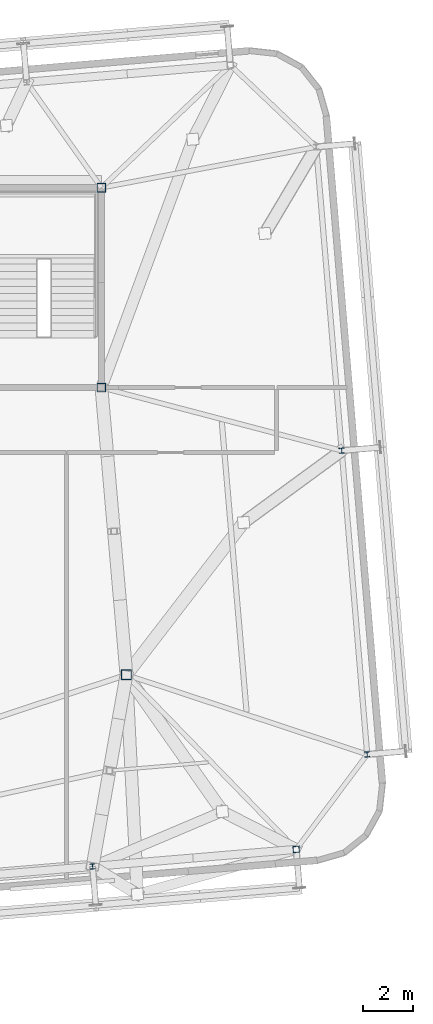
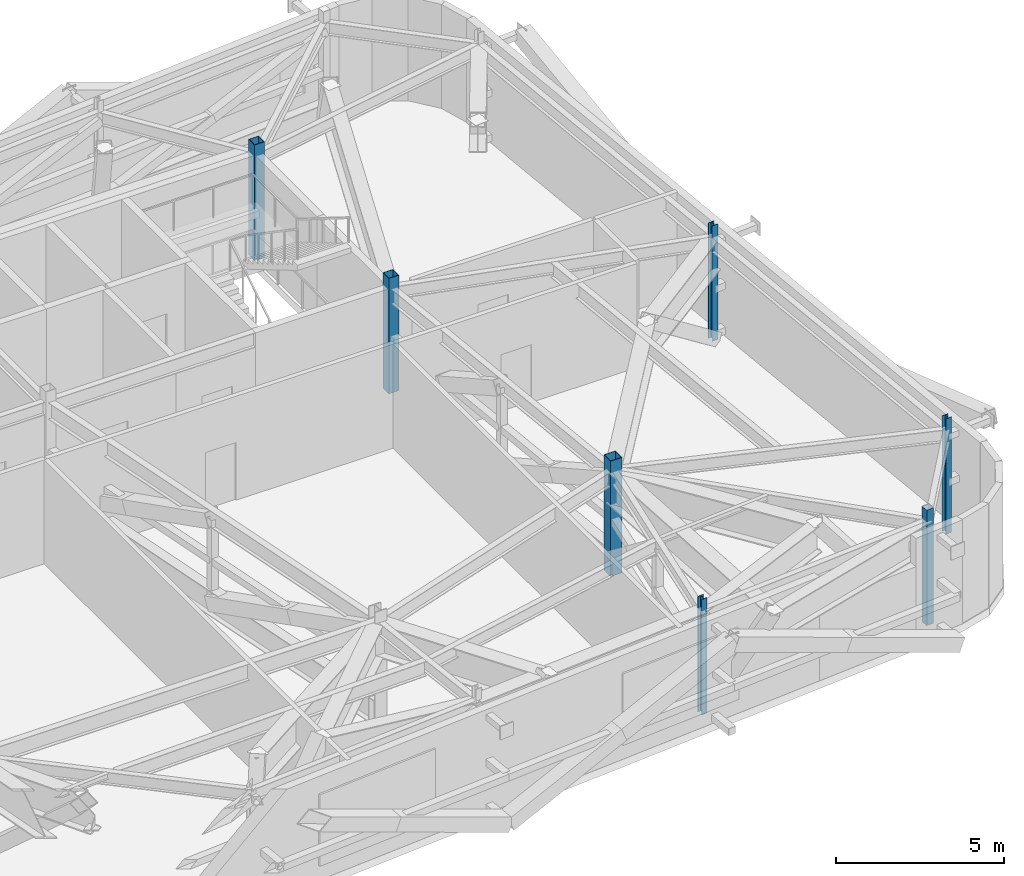
# One storey, part 4 of 26: 7 columns.
"""IFC4 building model written with IfcOpenShell, lengths in metres."""

from ifc_helpers import new_model, si_unit, direction, frame, origin, origin_2d, place, context, subcontext, project, spatial, hollow_rectangle, i_section, extrude, source, transform, mapped, material, material_profile, profile_set, type_object, element, save


model = new_model("IFC4")

# Units and contexts
model_context = context("Model", 3, precision=1e-05, world=origin(), true_north=direction((0.0, 1.0)))
body_context = subcontext(model_context, "Body", "Model", "MODEL_VIEW")
ifc_project = project(units=[si_unit("LENGTHUNIT", "METRE"), si_unit("AREAUNIT", "SQUARE_METRE"), si_unit("VOLUMEUNIT", "CUBIC_METRE"), si_unit("PLANEANGLEUNIT", "RADIAN"), si_unit("MASSUNIT", "GRAM", prefix="KILO")], contexts=[model_context])

# Site, building, storey
site_placement = place(None, origin())
site = spatial("IfcSite", under=ifc_project, at=site_placement, CompositionType="ELEMENT")
building_placement = place(site_placement, origin())
building = spatial("IfcBuilding", under=site, at=building_placement, Name="Taldren Reach Tower", CompositionType="ELEMENT")
storey_placement = place(building_placement, frame((0.0, 0.0, 207.199951171875)))
storey = spatial("IfcBuildingStorey", under=building, at=storey_placement, Name="L63", CompositionType="ELEMENT", Elevation=207.199951171875)

# Columns
ifc_material_1 = material(Name="Steel Gr 450 (C450L0)", Category="steel")
ifc_material_profile_1 = material_profile(ifc_material_1, hollow_rectangle(XDim=0.39990234375, YDim=0.39990234375, WallThickness=0.01611328125, at=origin_2d()), Name="400x400x16.0SHS")
ifc_profile_set_1 = profile_set([ifc_material_profile_1], Name="Steel Gr 450 (C450L0)")
column_type_1 = type_object("IfcColumnType", Name="COL-SHS400", PredefinedType="COLUMN", material=ifc_profile_set_1)
shared_shape_1 = source(origin(), body_context, "Body", "SweptSolid", [
    extrude(hollow_rectangle(XDim=0.39990234375, YDim=0.39990234375, WallThickness=0.01611328125, at=origin_2d()), origin(), (0.0, 0.0, 1.0), 4.199951171875),
])
column_1_placement = place(storey_placement, frame((52.0, 12.5, 0.0), z_axis=(0.0, 0.0, 1.0), x_axis=(1.0, 0.0, 0.0)))
element("IfcColumn", 1, at=column_1_placement, inside=storey, type_object=column_type_1, Name="Mega column MC-SE L63", PredefinedType="COLUMN", context=body_context, shape_type="MappedRepresentation", body=[
    mapped(shared_shape_1, transform((0.0, 0.0, 0.0), scale=1.0)),
])
ifc_material_profile_2 = material_profile(ifc_material_1, hollow_rectangle(XDim=0.35009765625, YDim=0.35009765625, WallThickness=0.01611328125, at=origin_2d()), Name="350x350x16.0SHS")
ifc_profile_set_2 = profile_set([ifc_material_profile_2], Name="Steel Gr 450 (C450L0)")
column_type_2 = type_object("IfcColumnType", Name="COL-SHS350", PredefinedType="COLUMN", material=ifc_profile_set_2)
shared_shape_2 = source(origin(), body_context, "Body", "SweptSolid", [
    extrude(hollow_rectangle(XDim=0.35009765625, YDim=0.35009765625, WallThickness=0.01611328125, at=origin_2d()), origin(), (0.0, 0.0, 1.0), 4.199951171875),
])
for number, where, z_axis, x_axis, name in (
    (2, (51.0, 24.0, 0.0), (0.0, 0.0, 1.0), (1.0, 0.0, 0.0), "Mega column MC-C4 L63"),
    (3, (51.0, 32.0, 0.0), (0.0, 0.0, 1.0), (1.0, 0.0, 0.0), "Mega column MC-C8 L63"),
):
    element("IfcColumn", number, at=place(storey_placement, frame(where, z_axis=z_axis, x_axis=x_axis)), inside=storey, type_object=column_type_2, Name=name, PredefinedType="COLUMN", context=body_context, shape_type="MappedRepresentation", body=[
        mapped(shared_shape_2, transform((0.0, 0.0, 0.0), scale=1.0)),
    ])
ifc_material_2 = material(Name="Steel Gr 350 (C350L0)", Category="steel")
ifc_material_profile_3 = material_profile(ifc_material_2, hollow_rectangle(XDim=0.25, YDim=0.25, WallThickness=0.010009765625, at=origin_2d()), Name="250x250x10.0SHS")
ifc_profile_set_3 = profile_set([ifc_material_profile_3], Name="Steel Gr 350 (C350L0)")
column_type_3 = type_object("IfcColumnType", Name="COL-SHS250", PredefinedType="COLUMN", material=ifc_profile_set_3)
shared_shape_3 = source(origin(), body_context, "Body", "SweptSolid", [
    extrude(hollow_rectangle(XDim=0.25, YDim=0.25, WallThickness=0.010009765625, at=origin_2d()), origin(), (0.0, 0.0, 1.0), 4.199951171875),
])
column_2_placement = place(storey_placement, frame((58.796142578125, 5.516357421875, 0.0), z_axis=(0.0, 0.0, 1.0), x_axis=(0.99649285925, 0.083677843332, 0.0)))
element("IfcColumn", 4, at=column_2_placement, inside=storey, type_object=column_type_3, Name="Block B4 perimeter column S6 L63", PredefinedType="COLUMN", context=body_context, shape_type="MappedRepresentation", body=[
    mapped(shared_shape_3, transform((0.0, 0.0, 0.0), scale=1.0)),
])
ifc_material_3 = material(Name="Steel Gr 350 (350PLUS)", Category="steel")
ifc_material_profile_4 = material_profile(ifc_material_3, i_section(OverallWidth=0.205078125, OverallDepth=0.2099609375, WebThickness=0.00927734375, FlangeThickness=0.01416015625, at=origin_2d()), Name="200UC59.5")
ifc_profile_set_4 = profile_set([ifc_material_profile_4], Name="Steel Gr 350 (350PLUS)")
column_type_4 = type_object("IfcColumnType", Name="COL-UC200", PredefinedType="COLUMN", material=ifc_profile_set_4)
shared_shape_4 = source(origin(), body_context, "Body", "SweptSolid", [
    extrude(i_section(OverallWidth=0.205078125, OverallDepth=0.2099609375, WebThickness=0.00927734375, FlangeThickness=0.01416015625, at=origin_2d()), origin(), (0.0, 0.0, 1.0), 4.199951171875),
])
for number, where, z_axis, x_axis, name in (
    (5, (50.644775390625, 4.83203125, 0.0), (0.0, 0.0, 1.0), (0.99649285925, 0.083677843332, 0.0), "Block B4 perimeter column S5 L63"),
    (6, (61.63818359375, 9.317626953125, 0.0), (0.0, 0.0, 1.0), (0.99649285925, 0.083677843332, 0.0), "Block B4 perimeter column E1 L63"),
    (7, (60.6171875, 21.474853515625, 0.0), (0.0, 0.0, 1.0), (0.99649285925, 0.083677843332, 0.0), "Block B4 perimeter column E2 L63"),
):
    element("IfcColumn", number, at=place(storey_placement, frame(where, z_axis=z_axis, x_axis=x_axis)), inside=storey, type_object=column_type_4, Name=name, PredefinedType="COLUMN", context=body_context, shape_type="MappedRepresentation", body=[
        mapped(shared_shape_4, transform((0.0, 0.0, 0.0), scale=1.0)),
    ])

save(model, "model.ifc")
